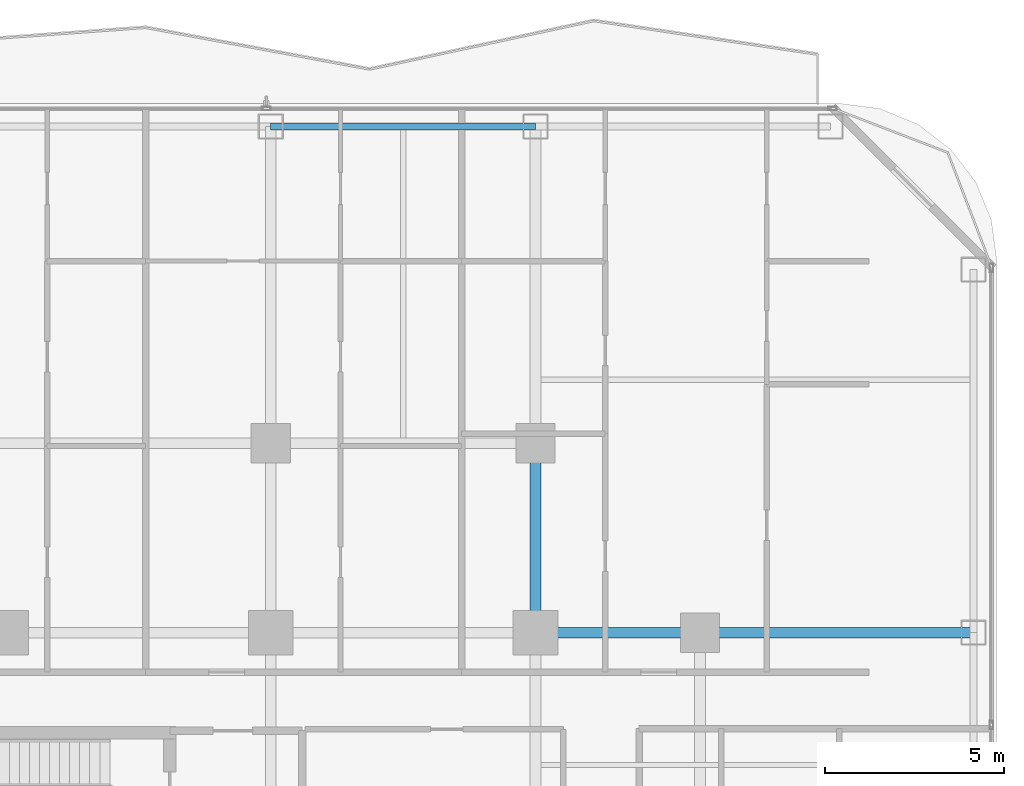
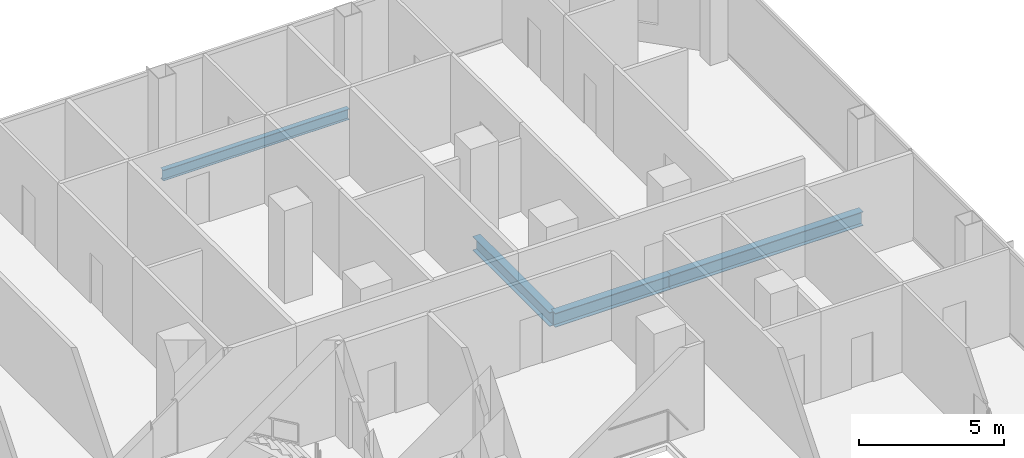
# One storey, part 15 of 30: 4 beams.
"""IFC4 building model written with IfcOpenShell, lengths in metres."""

import ifcopenshell
import ifcopenshell.guid

model = None  # the IFC model being written
_history = None  # IfcOwnerHistory: only IFC2X3 demands one
_inside = {}  # id of a spatial element -> (the spatial element, [elements in it])
_under = {}  # id of a project, library or spatial element -> (it, [spatial elements below it])
_declared = {}  # id of a project -> (the project, [libraries it declares])
_typed = {}  # id of a type object -> (the type object, [elements of that type])
_made_of = {}  # id of a material, layer set ... -> (it, [elements and type objects made of it])


def new_model(schema):
    """Start an empty IFC model of exactly this schema.

    Asked for "IFC4X3", IfcOpenShell would pick the latest addendum, in which some entities
    have other attributes; the version numbers below select the first issue.
    IFC2X3 requires an IfcOwnerHistory on every rooted entity: one is made here for all.
    """
    global model, _history
    if schema == "IFC4X3":
        model = ifcopenshell.file(schema_version=(4, 3, 0, 0))
    else:
        model = ifcopenshell.file(schema=schema)
    _inside.clear()
    _under.clear()
    _declared.clear()
    _typed.clear()
    _made_of.clear()
    _history = None
    if model.schema == "IFC2X3":
        org = make("IfcOrganization", Name="unknown")
        user = make(
            "IfcPersonAndOrganization",
            ThePerson=make("IfcPerson", FamilyName="unknown"),
            TheOrganization=org,
        )
        app = make(
            "IfcApplication",
            ApplicationDeveloper=org,
            Version="unknown",
            ApplicationFullName="unknown",
            ApplicationIdentifier="unknown",
        )
        _history = make(
            "IfcOwnerHistory",
            OwningUser=user,
            OwningApplication=app,
            ChangeAction="ADDED",
            CreationDate=0,
        )
    return model


def make(cls, **values):
    """One entity of the class cls with the attributes given. An attribute that is None is left unset."""
    return model.create_entity(
        cls, **{name: value for name, value in values.items() if value is not None}
    )


def rooted(cls, **values):
    """An entity with a GlobalId (a new one), such as an element, a storey or a relation."""
    return make(cls, GlobalId=ifcopenshell.guid.new(), OwnerHistory=_history, **values)


def si_unit(unit_type, name, prefix=None):
    """IfcSIUnit, for example si_unit("LENGTHUNIT", "METRE", prefix="MILLI")."""
    return make("IfcSIUnit", UnitType=unit_type, Prefix=prefix, Name=name)


def assignment(units):
    """IfcUnitAssignment: the units of a project."""
    return None if units is None else make("IfcUnitAssignment", Units=units)


def point(xyz):
    """IfcCartesianPoint."""
    return None if xyz is None else make("IfcCartesianPoint", Coordinates=xyz)


def direction(xyz):
    """IfcDirection."""
    return None if xyz is None else make("IfcDirection", DirectionRatios=xyz)


def frame(location, z_axis=None, x_axis=None):
    """IfcAxis2Placement3D, a coordinate frame: its origin and axes. An axis left out is left unset."""
    return make(
        "IfcAxis2Placement3D",
        Location=point(location),
        Axis=direction(z_axis),
        RefDirection=direction(x_axis),
    )


def frame_2d(location, x_axis=None):
    """IfcAxis2Placement2D, a coordinate frame in the plane: its origin and x axis."""
    return make(
        "IfcAxis2Placement2D", Location=point(location), RefDirection=direction(x_axis)
    )


def origin():
    """The frame at (0, 0, 0) with its axes left unset."""
    return frame((0.0, 0.0, 0.0))


def origin_2d():
    """The frame at (0, 0) in the plane with its x axis left unset."""
    return frame_2d((0.0, 0.0))


def place(relative_to, where):
    """IfcLocalPlacement: puts the frame where relative to a parent placement (None: the world)."""
    return make(
        "IfcLocalPlacement", PlacementRelTo=relative_to, RelativePlacement=where
    )


def context(
    kind, dimensions, precision=None, world=None, true_north=None, identifier=None
):
    """IfcGeometricRepresentationContext, for example the 3D "Model" context."""
    return make(
        "IfcGeometricRepresentationContext",
        ContextIdentifier=identifier,
        ContextType=kind,
        CoordinateSpaceDimension=dimensions,
        Precision=precision,
        WorldCoordinateSystem=world,
        TrueNorth=true_north,
    )


def subcontext(parent, identifier, kind, view, scale=None):
    """IfcGeometricRepresentationSubContext, for example "Body" below "Model"."""
    return make(
        "IfcGeometricRepresentationSubContext",
        ContextIdentifier=identifier,
        ContextType=kind,
        ParentContext=parent,
        TargetScale=scale,
        TargetView=view,
    )


def project(units=None, contexts=None):
    """IfcProject with its units and contexts."""
    return rooted(
        "IfcProject",
        Name="project",
        RepresentationContexts=contexts,
        UnitsInContext=assignment(units),
    )


def spatial(cls, under=None, at=None, **own):
    """A site, building, storey or space (cls), placed at a placement, below another one or the project."""
    s = rooted(cls, ObjectPlacement=at, **own)
    if under is not None:
        _under.setdefault(under.id(), (under, []))[1].append(s)
    return s


def profile(cls, at=None, kind="AREA", **sizes):
    """A parametric profile (cls). Its sizes go by their IFC names, for example OverallWidth=200.0."""
    return make(cls, ProfileType=kind, Position=at, **sizes)


def i_section(**sizes):
    """IfcIShapeProfileDef."""
    return profile("IfcIShapeProfileDef", **sizes)


def extrude(swept, where, along, depth):
    """IfcExtrudedAreaSolid: the profile swept, set in the frame where, extruded along a direction by depth."""
    return make(
        "IfcExtrudedAreaSolid",
        SweptArea=swept,
        Position=where,
        ExtrudedDirection=direction(along),
        Depth=depth,
    )


def shape(context_of_items, identifier, shape_type, items):
    """IfcShapeRepresentation: the items that make up one representation, for example the "Body"."""
    return make(
        "IfcShapeRepresentation",
        ContextOfItems=context_of_items,
        RepresentationIdentifier=identifier,
        RepresentationType=shape_type,
        Items=items,
    )


def material(Name=None, Category=None):
    """IfcMaterial."""
    return make("IfcMaterial", Name=Name, Category=Category)


def material_profile(
    of_material, cross_section, Name=None, Category=None, Priority=None
):
    """IfcMaterialProfile: a cross section and its material."""
    return make(
        "IfcMaterialProfile",
        Name=Name,
        Material=of_material,
        Profile=cross_section,
        Priority=Priority,
        Category=Category,
    )


def profile_set(profiles, Name=None, composite=None):
    """IfcMaterialProfileSet."""
    return make(
        "IfcMaterialProfileSet",
        Name=Name,
        MaterialProfiles=profiles,
        CompositeProfile=composite,
    )


def made_of(thing, what):
    """Note that an element or type object is made of a material, layer set ...; save() writes the relation."""
    if what is not None:
        _made_of.setdefault(what.id(), (what, []))[1].append(thing)
    return thing


def type_object(cls, material=None, **own):
    """A type object (cls), such as IfcWallType, which elements share."""
    return made_of(rooted(cls, **own), material)


def element(
    cls,
    number,
    at=None,
    inside=None,
    cuts=None,
    type_object=None,
    material=None,
    context=None,
    identifier="Body",
    shape_type=None,
    held_by="IfcProductDefinitionShape",
    body=None,
    shapes=None,
    **own,
):
    """One element of the class cls, such as IfcWall. Its Tag is "e" and its number.

    at: its placement. inside: the storey or other place that contains it. cuts: it is an
    opening in that element (IfcRelVoidsElement). A single representation is given by context,
    identifier, shape_type and body (its items); several are given by shapes. held_by: the class
    of the entity that holds the representations. save() writes the other relations.
    """
    e = rooted(cls, Tag="e%d" % number, ObjectPlacement=at, **own)
    if body is not None:
        shapes = [shape(context, identifier, shape_type, body)]
    if shapes is not None:
        e.Representation = make(held_by, Representations=shapes)
    if inside is not None:
        _inside.setdefault(inside.id(), (inside, []))[1].append(e)
    if cuts is not None:
        rooted(
            "IfcRelVoidsElement", RelatingBuildingElement=cuts, RelatedOpeningElement=e
        )
    if type_object is not None:
        _typed.setdefault(type_object.id(), (type_object, []))[1].append(e)
    return made_of(e, material)


def aggregate(whole, parts):
    """IfcRelAggregates: a whole, such as a stair, and the parts it consists of."""
    return rooted("IfcRelAggregates", RelatingObject=whole, RelatedObjects=parts)


def save(model, path):
    """Write the relations noted so far, then the file.

    IfcRelAggregates (storeys below a building ...), IfcRelContainedInSpatialStructure (elements
    in a storey), IfcRelDefinesByType, IfcRelAssociatesMaterial and IfcRelDeclares: one each for
    every whole, place, type object, material and project.
    """
    for whole, parts in _under.values():
        aggregate(whole, parts)
    for where, things in _inside.values():
        rooted(
            "IfcRelContainedInSpatialStructure",
            RelatedElements=things,
            RelatingStructure=where,
        )
    for kind, things in _typed.values():
        rooted("IfcRelDefinesByType", RelatedObjects=things, RelatingType=kind)
    for what, things in _made_of.values():
        rooted("IfcRelAssociatesMaterial", RelatedObjects=things, RelatingMaterial=what)
    for by, libraries in _declared.values():
        rooted("IfcRelDeclares", RelatingContext=by, RelatedDefinitions=libraries)
    model.write(path)


model = new_model("IFC4")

# Units and contexts
model_context = context("Model", 3, precision=1e-05, world=origin(), true_north=direction((0.0, 1.0)))
body_context = subcontext(model_context, "Body", "Model", "MODEL_VIEW")
ifc_project = project(units=[si_unit("LENGTHUNIT", "METRE"), si_unit("AREAUNIT", "SQUARE_METRE"), si_unit("VOLUMEUNIT", "CUBIC_METRE"), si_unit("PLANEANGLEUNIT", "RADIAN"), si_unit("MASSUNIT", "GRAM", prefix="KILO")], contexts=[model_context])

# Site, building, storey
site_placement = place(None, origin())
site = spatial("IfcSite", under=ifc_project, at=site_placement, CompositionType="ELEMENT")
building_placement = place(site_placement, origin())
building = spatial("IfcBuilding", under=site, at=building_placement, Name="Khorvyn Point Tower", CompositionType="ELEMENT")
storey_placement = place(building_placement, frame((0.0, 0.0, 117.300048828125)))
storey = spatial("IfcBuildingStorey", under=building, at=storey_placement, Name="L29", CompositionType="ELEMENT", Elevation=117.300048828125)

# Beams
ifc_material = material(Name="Steel S355", Category="steel")
ifc_material_profile_1 = material_profile(ifc_material, i_section(OverallWidth=0.300048828125, OverallDepth=0.587890625, WebThickness=0.011962890625, FlangeThickness=0.02001953125, at=origin_2d()))
ifc_profile_set_1 = profile_set([ifc_material_profile_1], Name="Steel S355 H588x300x12x20")
beam_type_1 = type_object("IfcBeamType", Name="Steel S355 Beam H588x300x12x20", PredefinedType="BEAM", material=ifc_profile_set_1)
beam_1_placement = place(storey_placement, frame((14.800048828125, 14.800048828125, -0.51416015625), z_axis=(1.0, 0.0, 0.0), x_axis=(0.0, 1.0, 0.0)))
element("IfcBeam", 1, at=beam_1_placement, inside=storey, type_object=beam_type_1, Name="Beam", PredefinedType="BEAM", context=body_context, shape_type="SweptSolid", body=[
    extrude(i_section(OverallWidth=0.300048828125, OverallDepth=0.587890625, WebThickness=0.011962890625, FlangeThickness=0.02001953125, at=origin_2d()), origin(), (0.0, 0.0, 1.0), 4.599853515625),
])
beam_2_placement = place(storey_placement, frame((19.39990234375, 14.800048828125, -0.51416015625), z_axis=(1.0, 0.0, 0.0), x_axis=(0.0, 1.0, 0.0)))
element("IfcBeam", 2, at=beam_2_placement, inside=storey, type_object=beam_type_1, Name="Beam", PredefinedType="BEAM", context=body_context, shape_type="SweptSolid", body=[
    extrude(i_section(OverallWidth=0.300048828125, OverallDepth=0.587890625, WebThickness=0.011962890625, FlangeThickness=0.02001953125, at=origin_2d()), origin(), (0.0, 0.0, 1.0), 7.650146484375),
])
beam_3_placement = place(storey_placement, frame((14.800048828125, 14.800048828125, -0.51416015625), z_axis=(0.0, 1.0, 0.0), x_axis=(-1.0, 0.0, 0.0)))
element("IfcBeam", 3, at=beam_3_placement, inside=storey, type_object=beam_type_1, Name="Beam", PredefinedType="BEAM", context=body_context, shape_type="SweptSolid", body=[
    extrude(i_section(OverallWidth=0.300048828125, OverallDepth=0.587890625, WebThickness=0.011962890625, FlangeThickness=0.02001953125, at=origin_2d()), origin(), (0.0, 0.0, 1.0), 5.300048828125),
])
ifc_material_profile_2 = material_profile(ifc_material, i_section(OverallWidth=0.199951171875, OverallDepth=0.449951171875, WebThickness=0.009033203125, FlangeThickness=0.013916015625, at=origin_2d()))
ifc_profile_set_2 = profile_set([ifc_material_profile_2], Name="Steel S355 H450x200x9x14")
beam_type_2 = type_object("IfcBeamType", Name="Steel S355 Spandrel H450x200x9x14", PredefinedType="SPANDREL", material=ifc_profile_set_2)
beam_4_placement = place(storey_placement, frame((7.39990234375, 28.949951171875, -0.445068359375), z_axis=(1.0, 0.0, 0.0), x_axis=(0.0, 1.0, 0.0)))
element("IfcBeam", 4, at=beam_4_placement, inside=storey, type_object=beam_type_2, Name="Beam", PredefinedType="SPANDREL", context=body_context, shape_type="SweptSolid", body=[
    extrude(i_section(OverallWidth=0.199951171875, OverallDepth=0.449951171875, WebThickness=0.009033203125, FlangeThickness=0.013916015625, at=origin_2d()), origin(), (0.0, 0.0, 1.0), 7.400146484375),
])

save(model, "model.ifc")
